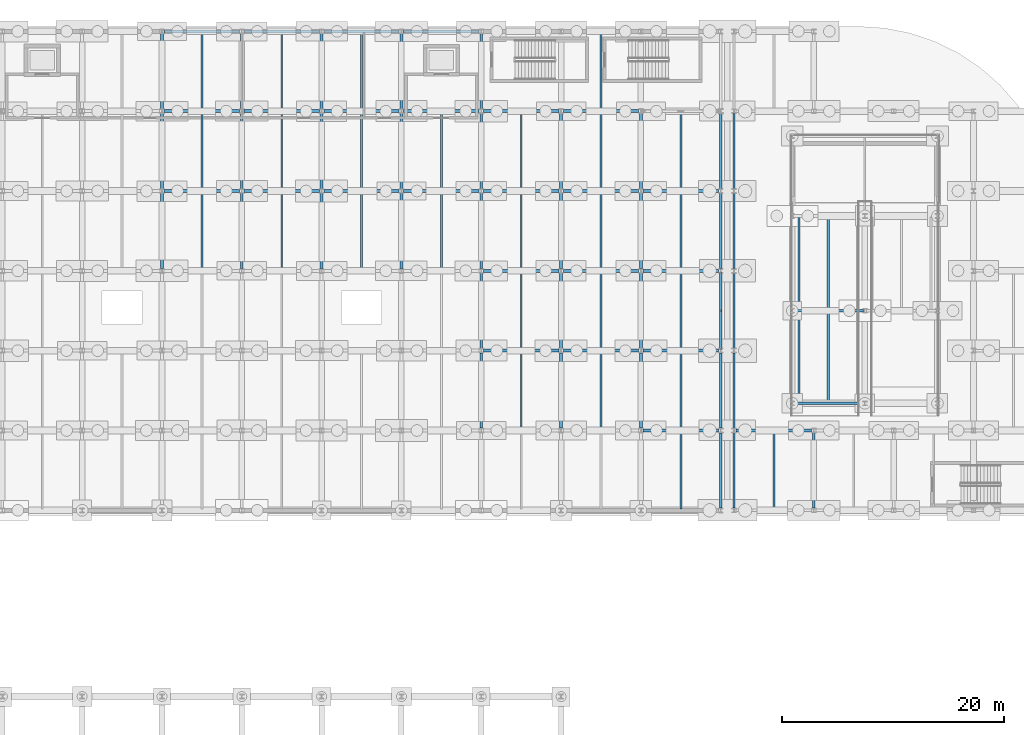
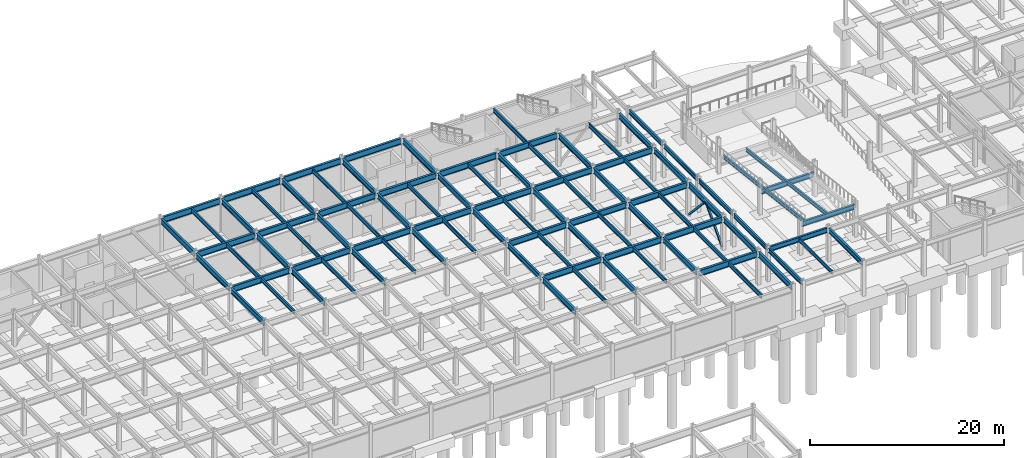
# One storey, part 31 of 54: 91 beams, 2 members.
"""IFC4 building model written with IfcOpenShell, lengths in metres."""

import ifcopenshell
import ifcopenshell.guid

model = None  # the IFC model being written
_history = None  # IfcOwnerHistory: only IFC2X3 demands one
_inside = {}  # id of a spatial element -> (the spatial element, [elements in it])
_under = {}  # id of a project, library or spatial element -> (it, [spatial elements below it])
_declared = {}  # id of a project -> (the project, [libraries it declares])
_typed = {}  # id of a type object -> (the type object, [elements of that type])
_made_of = {}  # id of a material, layer set ... -> (it, [elements and type objects made of it])


def new_model(schema):
    """Start an empty IFC model of exactly this schema.

    Asked for "IFC4X3", IfcOpenShell would pick the latest addendum, in which some entities
    have other attributes; the version numbers below select the first issue.
    IFC2X3 requires an IfcOwnerHistory on every rooted entity: one is made here for all.
    """
    global model, _history
    if schema == "IFC4X3":
        model = ifcopenshell.file(schema_version=(4, 3, 0, 0))
    else:
        model = ifcopenshell.file(schema=schema)
    _inside.clear()
    _under.clear()
    _declared.clear()
    _typed.clear()
    _made_of.clear()
    _history = None
    if model.schema == "IFC2X3":
        org = make("IfcOrganization", Name="unknown")
        user = make(
            "IfcPersonAndOrganization",
            ThePerson=make("IfcPerson", FamilyName="unknown"),
            TheOrganization=org,
        )
        app = make(
            "IfcApplication",
            ApplicationDeveloper=org,
            Version="unknown",
            ApplicationFullName="unknown",
            ApplicationIdentifier="unknown",
        )
        _history = make(
            "IfcOwnerHistory",
            OwningUser=user,
            OwningApplication=app,
            ChangeAction="ADDED",
            CreationDate=0,
        )
    return model


def make(cls, **values):
    """One entity of the class cls with the attributes given. An attribute that is None is left unset."""
    return model.create_entity(
        cls, **{name: value for name, value in values.items() if value is not None}
    )


def rooted(cls, **values):
    """An entity with a GlobalId (a new one), such as an element, a storey or a relation."""
    return make(cls, GlobalId=ifcopenshell.guid.new(), OwnerHistory=_history, **values)


def si_unit(unit_type, name, prefix=None):
    """IfcSIUnit, for example si_unit("LENGTHUNIT", "METRE", prefix="MILLI")."""
    return make("IfcSIUnit", UnitType=unit_type, Prefix=prefix, Name=name)


def assignment(units):
    """IfcUnitAssignment: the units of a project."""
    return None if units is None else make("IfcUnitAssignment", Units=units)


def point(xyz):
    """IfcCartesianPoint."""
    return None if xyz is None else make("IfcCartesianPoint", Coordinates=xyz)


def direction(xyz):
    """IfcDirection."""
    return None if xyz is None else make("IfcDirection", DirectionRatios=xyz)


def frame(location, z_axis=None, x_axis=None):
    """IfcAxis2Placement3D, a coordinate frame: its origin and axes. An axis left out is left unset."""
    return make(
        "IfcAxis2Placement3D",
        Location=point(location),
        Axis=direction(z_axis),
        RefDirection=direction(x_axis),
    )


def frame_2d(location, x_axis=None):
    """IfcAxis2Placement2D, a coordinate frame in the plane: its origin and x axis."""
    return make(
        "IfcAxis2Placement2D", Location=point(location), RefDirection=direction(x_axis)
    )


def origin():
    """The frame at (0, 0, 0) with its axes left unset."""
    return frame((0.0, 0.0, 0.0))


def origin_2d():
    """The frame at (0, 0) in the plane with its x axis left unset."""
    return frame_2d((0.0, 0.0))


def place(relative_to, where):
    """IfcLocalPlacement: puts the frame where relative to a parent placement (None: the world)."""
    return make(
        "IfcLocalPlacement", PlacementRelTo=relative_to, RelativePlacement=where
    )


def context(
    kind, dimensions, precision=None, world=None, true_north=None, identifier=None
):
    """IfcGeometricRepresentationContext, for example the 3D "Model" context."""
    return make(
        "IfcGeometricRepresentationContext",
        ContextIdentifier=identifier,
        ContextType=kind,
        CoordinateSpaceDimension=dimensions,
        Precision=precision,
        WorldCoordinateSystem=world,
        TrueNorth=true_north,
    )


def subcontext(parent, identifier, kind, view, scale=None):
    """IfcGeometricRepresentationSubContext, for example "Body" below "Model"."""
    return make(
        "IfcGeometricRepresentationSubContext",
        ContextIdentifier=identifier,
        ContextType=kind,
        ParentContext=parent,
        TargetScale=scale,
        TargetView=view,
    )


def project(units=None, contexts=None):
    """IfcProject with its units and contexts."""
    return rooted(
        "IfcProject",
        Name="project",
        RepresentationContexts=contexts,
        UnitsInContext=assignment(units),
    )


def spatial(cls, under=None, at=None, **own):
    """A site, building, storey or space (cls), placed at a placement, below another one or the project."""
    s = rooted(cls, ObjectPlacement=at, **own)
    if under is not None:
        _under.setdefault(under.id(), (under, []))[1].append(s)
    return s


def profile(cls, at=None, kind="AREA", **sizes):
    """A parametric profile (cls). Its sizes go by their IFC names, for example OverallWidth=200.0."""
    return make(cls, ProfileType=kind, Position=at, **sizes)


def hollow_rectangle(**sizes):
    """IfcRectangleHollowProfileDef."""
    return profile("IfcRectangleHollowProfileDef", **sizes)


def i_section(**sizes):
    """IfcIShapeProfileDef."""
    return profile("IfcIShapeProfileDef", **sizes)


def extrude(swept, where, along, depth):
    """IfcExtrudedAreaSolid: the profile swept, set in the frame where, extruded along a direction by depth."""
    return make(
        "IfcExtrudedAreaSolid",
        SweptArea=swept,
        Position=where,
        ExtrudedDirection=direction(along),
        Depth=depth,
    )


def shape(context_of_items, identifier, shape_type, items):
    """IfcShapeRepresentation: the items that make up one representation, for example the "Body"."""
    return make(
        "IfcShapeRepresentation",
        ContextOfItems=context_of_items,
        RepresentationIdentifier=identifier,
        RepresentationType=shape_type,
        Items=items,
    )


def material(Name=None, Category=None):
    """IfcMaterial."""
    return make("IfcMaterial", Name=Name, Category=Category)


def material_profile(
    of_material, cross_section, Name=None, Category=None, Priority=None
):
    """IfcMaterialProfile: a cross section and its material."""
    return make(
        "IfcMaterialProfile",
        Name=Name,
        Material=of_material,
        Profile=cross_section,
        Priority=Priority,
        Category=Category,
    )


def profile_set(profiles, Name=None, composite=None):
    """IfcMaterialProfileSet."""
    return make(
        "IfcMaterialProfileSet",
        Name=Name,
        MaterialProfiles=profiles,
        CompositeProfile=composite,
    )


def made_of(thing, what):
    """Note that an element or type object is made of a material, layer set ...; save() writes the relation."""
    if what is not None:
        _made_of.setdefault(what.id(), (what, []))[1].append(thing)
    return thing


def type_object(cls, material=None, **own):
    """A type object (cls), such as IfcWallType, which elements share."""
    return made_of(rooted(cls, **own), material)


def element(
    cls,
    number,
    at=None,
    inside=None,
    cuts=None,
    type_object=None,
    material=None,
    context=None,
    identifier="Body",
    shape_type=None,
    held_by="IfcProductDefinitionShape",
    body=None,
    shapes=None,
    **own,
):
    """One element of the class cls, such as IfcWall. Its Tag is "e" and its number.

    at: its placement. inside: the storey or other place that contains it. cuts: it is an
    opening in that element (IfcRelVoidsElement). A single representation is given by context,
    identifier, shape_type and body (its items); several are given by shapes. held_by: the class
    of the entity that holds the representations. save() writes the other relations.
    """
    e = rooted(cls, Tag="e%d" % number, ObjectPlacement=at, **own)
    if body is not None:
        shapes = [shape(context, identifier, shape_type, body)]
    if shapes is not None:
        e.Representation = make(held_by, Representations=shapes)
    if inside is not None:
        _inside.setdefault(inside.id(), (inside, []))[1].append(e)
    if cuts is not None:
        rooted(
            "IfcRelVoidsElement", RelatingBuildingElement=cuts, RelatedOpeningElement=e
        )
    if type_object is not None:
        _typed.setdefault(type_object.id(), (type_object, []))[1].append(e)
    return made_of(e, material)


def aggregate(whole, parts):
    """IfcRelAggregates: a whole, such as a stair, and the parts it consists of."""
    return rooted("IfcRelAggregates", RelatingObject=whole, RelatedObjects=parts)


def save(model, path):
    """Write the relations noted so far, then the file.

    IfcRelAggregates (storeys below a building ...), IfcRelContainedInSpatialStructure (elements
    in a storey), IfcRelDefinesByType, IfcRelAssociatesMaterial and IfcRelDeclares: one each for
    every whole, place, type object, material and project.
    """
    for whole, parts in _under.values():
        aggregate(whole, parts)
    for where, things in _inside.values():
        rooted(
            "IfcRelContainedInSpatialStructure",
            RelatedElements=things,
            RelatingStructure=where,
        )
    for kind, things in _typed.values():
        rooted("IfcRelDefinesByType", RelatedObjects=things, RelatingType=kind)
    for what, things in _made_of.values():
        rooted("IfcRelAssociatesMaterial", RelatedObjects=things, RelatingMaterial=what)
    for by, libraries in _declared.values():
        rooted("IfcRelDeclares", RelatingContext=by, RelatedDefinitions=libraries)
    model.write(path)


model = new_model("IFC4")

# Units and contexts
model_context = context("Model", 3, precision=1e-05, world=origin(), true_north=direction((0.0, 1.0)))
body_context = subcontext(model_context, "Body", "Model", "MODEL_VIEW")
ifc_project = project(units=[si_unit("LENGTHUNIT", "METRE"), si_unit("AREAUNIT", "SQUARE_METRE"), si_unit("VOLUMEUNIT", "CUBIC_METRE"), si_unit("PLANEANGLEUNIT", "RADIAN"), si_unit("MASSUNIT", "GRAM", prefix="KILO")], contexts=[model_context])

# Site, building, storey
site_placement = place(None, origin())
site = spatial("IfcSite", under=ifc_project, at=site_placement, CompositionType="ELEMENT")
building_placement = place(site_placement, origin())
building = spatial("IfcBuilding", under=site, at=building_placement, Name="Vaelcorin Mobility Hub", CompositionType="ELEMENT")
storey_placement = place(building_placement, frame((0.0, 0.0, -4.5)))
storey = spatial("IfcBuildingStorey", under=building, at=storey_placement, Name="B1", CompositionType="ELEMENT", Elevation=-4.5)

# Beams
ifc_material_1 = material(Name="Steel ASTM A992 Grade 50", Category="steel")
ifc_material_profile_1 = material_profile(ifc_material_1, i_section(OverallWidth=0.152099609375, OverallDepth=0.455078125, WebThickness=0.008056640625, FlangeThickness=0.01318359375, FilletRadius=0.012939453125, at=origin_2d()), Name="W18X40")
ifc_profile_set_1 = profile_set([ifc_material_profile_1], Name="Steel ASTM A992 Grade 50")
beam_type_1 = type_object("IfcBeamType", Name="BM-W18X40", PredefinedType="JOIST", material=ifc_profile_set_1)
beam_1_placement = place(storey_placement, frame((127.199951171875, 76.912109375, 4.02197265625), z_axis=(0.0, 1.0, 0.0), x_axis=(-1.0, 0.0, 0.0)))
element("IfcBeam", 1, at=beam_1_placement, inside=storey, type_object=beam_type_1, Name="B1 Beam V2E-B1-J-01-01-1", PredefinedType="JOIST", context=body_context, shape_type="SweptSolid", body=[
    extrude(i_section(OverallWidth=0.152099609375, OverallDepth=0.455078125, WebThickness=0.008056640625, FlangeThickness=0.01318359375, FilletRadius=0.012939453125, at=origin_2d()), origin(), (0.0, 0.0, 1.0), 6.975830078125),
])
ifc_material_profile_2 = material_profile(ifc_material_1, i_section(OverallWidth=0.19091796875, OverallDepth=0.4599609375, WebThickness=0.010009765625, FlangeThickness=0.01611328125, FilletRadius=0.012939453125, at=origin_2d()), Name="W18X55")
ifc_profile_set_2 = profile_set([ifc_material_profile_2], Name="Steel ASTM A992 Grade 50")
beam_type_2 = type_object("IfcBeamType", Name="BM-W18X55", PredefinedType="JOIST", material=ifc_profile_set_2)
for number, where, z_axis, x_axis, name in (
    (2, (129.449951171875, 103.239990234375, 1.888916015625), (0.0, -0.99318727008, 0.116529166098), (1.0, 0.0, 0.0), "Vehicle Ramp VR-2 B1 Flight 2 Stringer 1"),
    (3, (132.10009765625, 103.239990234375, 1.888916015625), (0.0, -0.99318727008, 0.116529166098), (1.0, 0.0, 0.0), "Vehicle Ramp VR-2 B1 Flight 2 Stringer 2"),
):
    element("IfcBeam", number, at=place(storey_placement, frame(where, z_axis=z_axis, x_axis=x_axis)), inside=storey, type_object=beam_type_2, Name=name, PredefinedType="JOIST", context=body_context, shape_type="SweptSolid", body=[
        extrude(i_section(OverallWidth=0.19091796875, OverallDepth=0.4599609375, WebThickness=0.010009765625, FlangeThickness=0.01611328125, FilletRadius=0.012939453125, at=origin_2d()), origin(), (0.0, 0.0, 1.0), 16.79443359375),
    ])
ifc_material_profile_3 = material_profile(ifc_material_1, i_section(OverallWidth=0.166015625, OverallDepth=0.528076171875, WebThickness=0.009765625, FlangeThickness=0.013671875, FilletRadius=0.013916015625, at=origin_2d()), Name="W21X50")
ifc_profile_set_3 = profile_set([ifc_material_profile_3], Name="Steel ASTM A992 Grade 50")
beam_type_3 = type_object("IfcBeamType", Name="BM-W21X50", PredefinedType="JOIST", material=ifc_profile_set_3)
for number, where, z_axis, x_axis, name in (
    (4, (75.60009765625, 98.531982421875, 3.9560546875), (0.0, 1.0, 0.0), (-1.0, 0.0, 0.0), "B1 Beam V4-B1-J-06-04-1"),
    (5, (75.60009765625, 105.73193359375, 3.9560546875), (0.0, 1.0, 0.0), (-1.0, 0.0, 0.0), "B1 Beam V4-B1-J-06-05-1"),
    (6, (75.60009765625, 112.931884765625, 3.9560546875), (0.0, 1.0, 0.0), (-1.0, 0.0, 0.0), "B1 Beam V4-B1-J-06-06-1"),
    (7, (82.800048828125, 98.531982421875, 3.9560546875), (0.0, 1.0, 0.0), (-1.0, 0.0, 0.0), "B1 Beam V4-B1-J-07-04-1"),
    (8, (82.800048828125, 105.73193359375, 3.9560546875), (0.0, 1.0, 0.0), (-1.0, 0.0, 0.0), "B1 Beam V4-B1-J-07-05-1"),
    (9, (82.800048828125, 112.931884765625, 3.9560546875), (0.0, 1.0, 0.0), (-1.0, 0.0, 0.0), "B1 Beam V4-B1-J-07-06-1"),
    (10, (90.0, 98.531982421875, 3.9560546875), (0.0, 1.0, 0.0), (-1.0, 0.0, 0.0), "B1 Beam V4-B1-J-08-04-1"),
    (11, (90.0, 105.73193359375, 3.9560546875), (0.0, 1.0, 0.0), (-1.0, 0.0, 0.0), "B1 Beam V4-B1-J-08-05-1"),
    (12, (90.0, 112.931884765625, 3.9560546875), (0.0, 1.0, 0.0), (-1.0, 0.0, 0.0), "B1 Beam V4-B1-J-08-06-1"),
    (13, (97.199951171875, 98.531982421875, 3.9560546875), (0.0, 1.0, 0.0), (-1.0, 0.0, 0.0), "B1 Beam V4-B1-J-09-04-1"),
    (14, (97.199951171875, 105.73193359375, 3.9560546875), (0.0, 1.0, 0.0), (-1.0, 0.0, 0.0), "B1 Beam V4-B1-J-09-05-1"),
    (15, (104.39990234375, 84.132080078125, 3.9560546875), (0.0, 1.0, 0.0), (-1.0, 0.0, 0.0), "B1 Beam V4-B1-J-10-02-1"),
    (16, (104.39990234375, 91.33203125, 3.9560546875), (0.0, 1.0, 0.0), (-1.0, 0.0, 0.0), "B1 Beam V4-B1-J-10-03-1"),
    (17, (104.39990234375, 98.531982421875, 3.9560546875), (0.0, 1.0, 0.0), (-1.0, 0.0, 0.0), "B1 Beam V4-B1-J-10-04-1"),
    (18, (104.39990234375, 105.73193359375, 3.9560546875), (0.0, 1.0, 0.0), (-1.0, 0.0, 0.0), "B1 Beam V4-B1-J-10-05-1"),
    (19, (111.60009765625, 84.132080078125, 3.9560546875), (0.0, 1.0, 0.0), (-1.0, 0.0, 0.0), "B1 Beam V4-B1-J-11-02-1"),
    (20, (111.60009765625, 91.33203125, 3.9560546875), (0.0, 1.0, 0.0), (-1.0, 0.0, 0.0), "B1 Beam V4-B1-J-11-03-1"),
    (21, (111.60009765625, 98.531982421875, 3.9560546875), (0.0, 1.0, 0.0), (-1.0, 0.0, 0.0), "B1 Beam V4-B1-J-11-04-1"),
    (22, (111.60009765625, 105.73193359375, 3.9560546875), (0.0, 1.0, 0.0), (-1.0, 0.0, 0.0), "B1 Beam V4-B1-J-11-05-1"),
    (23, (111.60009765625, 112.931884765625, 3.9560546875), (0.0, 1.0, 0.0), (-1.0, 0.0, 0.0), "B1 Beam V4-B1-J-11-06-1"),
    (24, (118.800048828125, 76.931884765625, 3.9560546875), (0.0, 1.0, 0.0), (-1.0, 0.0, 0.0), "B1 Beam V4-B1-J-12-01-1"),
    (25, (118.800048828125, 84.132080078125, 3.9560546875), (0.0, 1.0, 0.0), (-1.0, 0.0, 0.0), "B1 Beam V4-B1-J-12-02-1"),
    (26, (118.800048828125, 91.33203125, 3.9560546875), (0.0, 1.0, 0.0), (-1.0, 0.0, 0.0), "B1 Beam V4-B1-J-12-03-1"),
    (27, (118.800048828125, 98.531982421875, 3.9560546875), (0.0, 1.0, 0.0), (-1.0, 0.0, 0.0), "B1 Beam V4-B1-J-12-04-1"),
    (28, (118.800048828125, 105.73193359375, 3.9560546875), (0.0, 1.0, 0.0), (-1.0, 0.0, 0.0), "B1 Beam V4-B1-J-12-05-1"),
):
    element("IfcBeam", number, at=place(storey_placement, frame(where, z_axis=z_axis, x_axis=x_axis)), inside=storey, type_object=beam_type_3, Name=name, PredefinedType="JOIST", context=body_context, shape_type="SweptSolid", body=[
        extrude(i_section(OverallWidth=0.166015625, OverallDepth=0.528076171875, WebThickness=0.009765625, FlangeThickness=0.013671875, FilletRadius=0.013916015625, at=origin_2d()), origin(), (0.0, 0.0, 1.0), 6.93603515625),
    ])
ifc_material_profile_4 = material_profile(ifc_material_1, i_section(OverallWidth=0.2099609375, OverallDepth=0.535888671875, WebThickness=0.010986328125, FlangeThickness=0.017333984375, FilletRadius=0.013916015625, at=origin_2d()), Name="W21X68")
ifc_profile_set_4 = profile_set([ifc_material_profile_4], Name="Steel ASTM A992 Grade 50")
beam_type_4 = type_object("IfcBeamType", Name="BM-W21X68", PredefinedType="SPANDREL", material=ifc_profile_set_4)
for number, where, z_axis, x_axis, name in (
    (29, (123.60009765625, 76.9951171875, 3.98193359375), (0.0, 1.0, 0.0), (-1.0, 0.0, 0.0), "B1 Beam V2E-B1-GY-01-01"),
    (30, (123.60009765625, 84.195068359375, 3.98193359375), (0.0, 1.0, 0.0), (-1.0, 0.0, 0.0), "B1 Beam V2E-B1-GY-01-02"),
):
    element("IfcBeam", number, at=place(storey_placement, frame(where, z_axis=z_axis, x_axis=x_axis)), inside=storey, type_object=beam_type_4, Name=name, PredefinedType="SPANDREL", context=body_context, shape_type="SweptSolid", body=[
        extrude(i_section(OverallWidth=0.2099609375, OverallDepth=0.535888671875, WebThickness=0.010986328125, FlangeThickness=0.017333984375, FilletRadius=0.013916015625, at=origin_2d()), origin(), (0.0, 0.0, 1.0), 6.809814453125),
    ])
for number, where, z_axis, x_axis, name in (
    (31, (123.60009765625, 91.39501953125, 3.98193359375), (0.0, 1.0, 0.0), (-1.0, 0.0, 0.0), "B1 Beam V2E-B1-GY-01-03"),
    (32, (123.60009765625, 98.594970703125, 3.98193359375), (0.0, 1.0, 0.0), (-1.0, 0.0, 0.0), "B1 Beam V2E-B1-GY-01-04"),
    (33, (123.60009765625, 105.794921875, 3.98193359375), (0.0, 1.0, 0.0), (-1.0, 0.0, 0.0), "B1 Beam V2E-B1-GY-01-05"),
):
    element("IfcBeam", number, at=place(storey_placement, frame(where, z_axis=z_axis, x_axis=x_axis)), inside=storey, type_object=beam_type_4, Name=name, PredefinedType="SPANDREL", context=body_context, shape_type="SweptSolid", body=[
        extrude(i_section(OverallWidth=0.2099609375, OverallDepth=0.535888671875, WebThickness=0.010986328125, FlangeThickness=0.017333984375, FilletRadius=0.013916015625, at=origin_2d()), origin(), (0.0, 0.0, 1.0), 6.81005859375),
    ])
ifc_material_profile_5 = material_profile(ifc_material_1, i_section(OverallWidth=0.22900390625, OverallDepth=0.612060546875, WebThickness=0.011962890625, FlangeThickness=0.01953125, FilletRadius=0.014892578125, at=origin_2d()), Name="W24X84")
ifc_profile_set_5 = profile_set([ifc_material_profile_5], Name="Steel ASTM A992 Grade 50")
beam_type_5 = type_object("IfcBeamType", Name="BM-W24X84", PredefinedType="BEAM", material=ifc_profile_set_5)
beam_2_placement = place(storey_placement, frame((123.798095703125, 84.0, 3.944091796875), z_axis=(1.0, 0.0, 0.0), x_axis=(0.0, 1.0, 0.0)))
element("IfcBeam", 34, at=beam_2_placement, inside=storey, type_object=beam_type_5, Name="B1 Beam V2E-B1-GX-02-01", PredefinedType="BEAM", context=body_context, shape_type="SweptSolid", body=[
    extrude(i_section(OverallWidth=0.22900390625, OverallDepth=0.612060546875, WebThickness=0.011962890625, FlangeThickness=0.01953125, FilletRadius=0.014892578125, at=origin_2d()), origin(), (0.0, 0.0, 1.0), 6.804931640625),
])
beam_3_placement = place(storey_placement, frame((130.800048828125, 76.9951171875, 3.944091796875), z_axis=(0.0, 1.0, 0.0), x_axis=(-1.0, 0.0, 0.0)))
element("IfcBeam", 35, at=beam_3_placement, inside=storey, type_object=beam_type_5, Name="B1 Beam V2E-B1-GY-02-01", PredefinedType="BEAM", context=body_context, shape_type="SweptSolid", body=[
    extrude(i_section(OverallWidth=0.22900390625, OverallDepth=0.612060546875, WebThickness=0.011962890625, FlangeThickness=0.01953125, FilletRadius=0.014892578125, at=origin_2d()), origin(), (0.0, 0.0, 1.0), 6.809814453125),
])
for number, where, z_axis, x_axis, name in (
    (36, (128.97998046875, 94.800048828125, 2.782958984375), (1.0, 0.0, 0.0), (0.0, 1.0, 0.0), "Vehicle Ramp VR-2 B1 Bent Girder F2M"),
    (37, (128.97998046875, 86.449951171875, 3.761962890625), (1.0, 0.0, 0.0), (0.0, 1.0, 0.0), "Vehicle Ramp VR-2 B1 Bent Girder F2S"),
):
    element("IfcBeam", number, at=place(storey_placement, frame(where, z_axis=z_axis, x_axis=x_axis)), inside=storey, type_object=beam_type_5, Name=name, PredefinedType="BEAM", context=body_context, shape_type="SweptSolid", body=[
        extrude(i_section(OverallWidth=0.22900390625, OverallDepth=0.612060546875, WebThickness=0.011962890625, FlangeThickness=0.01953125, FilletRadius=0.014892578125, at=origin_2d()), origin(), (0.0, 0.0, 1.0), 6.2900390625),
    ])
ifc_material_profile_6 = material_profile(ifc_material_1, i_section(OverallWidth=0.25390625, OverallDepth=0.68310546875, WebThickness=0.012451171875, FlangeThickness=0.018798828125, FilletRadius=0.01611328125, at=origin_2d()), Name="W27X94")
ifc_profile_set_6 = profile_set([ifc_material_profile_6], Name="Steel ASTM A992 Grade 50")
beam_type_6 = type_object("IfcBeamType", Name="BM-W27X94", PredefinedType="BEAM", material=ifc_profile_set_6)
beam_4_placement = place(storey_placement, frame((72.0, 98.60107421875, 3.8779296875), z_axis=(0.0, 1.0, 0.0), x_axis=(-1.0, 0.0, 0.0)))
element("IfcBeam", 38, at=beam_4_placement, inside=storey, type_object=beam_type_6, Name="B1 Beam V4-B1-GY-06-04", PredefinedType="BEAM", context=body_context, shape_type="SweptSolid", body=[
    extrude(i_section(OverallWidth=0.25390625, OverallDepth=0.68310546875, WebThickness=0.012451171875, FlangeThickness=0.018798828125, FilletRadius=0.01611328125, at=origin_2d()), origin(), (0.0, 0.0, 1.0), 6.7978515625),
])
for number, where, z_axis, x_axis, name in (
    (39, (72.0, 105.801025390625, 3.8779296875), (0.0, 1.0, 0.0), (-1.0, 0.0, 0.0), "B1 Beam V4-B1-GY-06-05"),
    (40, (72.0, 113.010009765625, 3.8779296875), (0.0, 1.0, 0.0), (-1.0, 0.0, 0.0), "B1 Beam V4-B1-GY-06-06"),
):
    element("IfcBeam", number, at=place(storey_placement, frame(where, z_axis=z_axis, x_axis=x_axis)), inside=storey, type_object=beam_type_6, Name=name, PredefinedType="BEAM", context=body_context, shape_type="SweptSolid", body=[
        extrude(i_section(OverallWidth=0.25390625, OverallDepth=0.68310546875, WebThickness=0.012451171875, FlangeThickness=0.018798828125, FilletRadius=0.01611328125, at=origin_2d()), origin(), (0.0, 0.0, 1.0), 6.7890625),
    ])
beam_5_placement = place(storey_placement, frame((79.199951171875, 98.60107421875, 3.8779296875), z_axis=(0.0, 1.0, 0.0), x_axis=(-1.0, 0.0, 0.0)))
element("IfcBeam", 41, at=beam_5_placement, inside=storey, type_object=beam_type_6, Name="B1 Beam V4-B1-GY-07-04", PredefinedType="BEAM", context=body_context, shape_type="SweptSolid", body=[
    extrude(i_section(OverallWidth=0.25390625, OverallDepth=0.68310546875, WebThickness=0.012451171875, FlangeThickness=0.018798828125, FilletRadius=0.01611328125, at=origin_2d()), origin(), (0.0, 0.0, 1.0), 6.7978515625),
])
for number, where, z_axis, x_axis, name in (
    (42, (79.199951171875, 105.801025390625, 3.8779296875), (0.0, 1.0, 0.0), (-1.0, 0.0, 0.0), "B1 Beam V4-B1-GY-07-05"),
    (43, (79.199951171875, 113.010009765625, 3.8779296875), (0.0, 1.0, 0.0), (-1.0, 0.0, 0.0), "B1 Beam V4-B1-GY-07-06"),
):
    element("IfcBeam", number, at=place(storey_placement, frame(where, z_axis=z_axis, x_axis=x_axis)), inside=storey, type_object=beam_type_6, Name=name, PredefinedType="BEAM", context=body_context, shape_type="SweptSolid", body=[
        extrude(i_section(OverallWidth=0.25390625, OverallDepth=0.68310546875, WebThickness=0.012451171875, FlangeThickness=0.018798828125, FilletRadius=0.01611328125, at=origin_2d()), origin(), (0.0, 0.0, 1.0), 6.7890625),
    ])
beam_6_placement = place(storey_placement, frame((86.39990234375, 98.60107421875, 3.8779296875), z_axis=(0.0, 1.0, 0.0), x_axis=(-1.0, 0.0, 0.0)))
element("IfcBeam", 44, at=beam_6_placement, inside=storey, type_object=beam_type_6, Name="B1 Beam V4-B1-GY-08-04", PredefinedType="BEAM", context=body_context, shape_type="SweptSolid", body=[
    extrude(i_section(OverallWidth=0.25390625, OverallDepth=0.68310546875, WebThickness=0.012451171875, FlangeThickness=0.018798828125, FilletRadius=0.01611328125, at=origin_2d()), origin(), (0.0, 0.0, 1.0), 6.7978515625),
])
for number, where, z_axis, x_axis, name in (
    (45, (86.39990234375, 105.801025390625, 3.8779296875), (0.0, 1.0, 0.0), (-1.0, 0.0, 0.0), "B1 Beam V4-B1-GY-08-05"),
    (46, (86.39990234375, 113.010009765625, 3.8779296875), (0.0, 1.0, 0.0), (-1.0, 0.0, 0.0), "B1 Beam V4-B1-GY-08-06"),
):
    element("IfcBeam", number, at=place(storey_placement, frame(where, z_axis=z_axis, x_axis=x_axis)), inside=storey, type_object=beam_type_6, Name=name, PredefinedType="BEAM", context=body_context, shape_type="SweptSolid", body=[
        extrude(i_section(OverallWidth=0.25390625, OverallDepth=0.68310546875, WebThickness=0.012451171875, FlangeThickness=0.018798828125, FilletRadius=0.01611328125, at=origin_2d()), origin(), (0.0, 0.0, 1.0), 6.7890625),
    ])
beam_7_placement = place(storey_placement, frame((93.60009765625, 98.60107421875, 3.8779296875), z_axis=(0.0, 1.0, 0.0), x_axis=(-1.0, 0.0, 0.0)))
element("IfcBeam", 47, at=beam_7_placement, inside=storey, type_object=beam_type_6, Name="B1 Beam V4-B1-GY-09-04", PredefinedType="BEAM", context=body_context, shape_type="SweptSolid", body=[
    extrude(i_section(OverallWidth=0.25390625, OverallDepth=0.68310546875, WebThickness=0.012451171875, FlangeThickness=0.018798828125, FilletRadius=0.01611328125, at=origin_2d()), origin(), (0.0, 0.0, 1.0), 6.7978515625),
])
for number, where, z_axis, x_axis, name in (
    (48, (93.60009765625, 105.801025390625, 3.8779296875), (0.0, 1.0, 0.0), (-1.0, 0.0, 0.0), "B1 Beam V4-B1-GY-09-05"),
    (49, (93.60009765625, 113.010009765625, 3.8779296875), (0.0, 1.0, 0.0), (-1.0, 0.0, 0.0), "B1 Beam V4-B1-GY-09-06"),
    (50, (100.800048828125, 84.2099609375, 3.8779296875), (0.0, 1.0, 0.0), (-1.0, 0.0, 0.0), "B1 Beam V4-B1-GY-10-02"),
):
    element("IfcBeam", number, at=place(storey_placement, frame(where, z_axis=z_axis, x_axis=x_axis)), inside=storey, type_object=beam_type_6, Name=name, PredefinedType="BEAM", context=body_context, shape_type="SweptSolid", body=[
        extrude(i_section(OverallWidth=0.25390625, OverallDepth=0.68310546875, WebThickness=0.012451171875, FlangeThickness=0.018798828125, FilletRadius=0.01611328125, at=origin_2d()), origin(), (0.0, 0.0, 1.0), 6.7890625),
    ])
beam_8_placement = place(storey_placement, frame((100.800048828125, 91.40087890625, 3.8779296875), z_axis=(0.0, 1.0, 0.0), x_axis=(-1.0, 0.0, 0.0)))
element("IfcBeam", 51, at=beam_8_placement, inside=storey, type_object=beam_type_6, Name="B1 Beam V4-B1-GY-10-03", PredefinedType="BEAM", context=body_context, shape_type="SweptSolid", body=[
    extrude(i_section(OverallWidth=0.25390625, OverallDepth=0.68310546875, WebThickness=0.012451171875, FlangeThickness=0.018798828125, FilletRadius=0.01611328125, at=origin_2d()), origin(), (0.0, 0.0, 1.0), 6.798095703125),
])
beam_9_placement = place(storey_placement, frame((100.800048828125, 98.60107421875, 3.8779296875), z_axis=(0.0, 1.0, 0.0), x_axis=(-1.0, 0.0, 0.0)))
element("IfcBeam", 52, at=beam_9_placement, inside=storey, type_object=beam_type_6, Name="B1 Beam V4-B1-GY-10-04", PredefinedType="BEAM", context=body_context, shape_type="SweptSolid", body=[
    extrude(i_section(OverallWidth=0.25390625, OverallDepth=0.68310546875, WebThickness=0.012451171875, FlangeThickness=0.018798828125, FilletRadius=0.01611328125, at=origin_2d()), origin(), (0.0, 0.0, 1.0), 6.7978515625),
])
for number, where, z_axis, x_axis, name in (
    (53, (100.800048828125, 105.801025390625, 3.8779296875), (0.0, 1.0, 0.0), (-1.0, 0.0, 0.0), "B1 Beam V4-B1-GY-10-05"),
    (54, (100.800048828125, 113.010009765625, 3.8779296875), (0.0, 1.0, 0.0), (-1.0, 0.0, 0.0), "B1 Beam V4-B1-GY-10-06"),
    (55, (108.0, 84.2099609375, 3.8779296875), (0.0, 1.0, 0.0), (-1.0, 0.0, 0.0), "B1 Beam V4-B1-GY-11-02"),
):
    element("IfcBeam", number, at=place(storey_placement, frame(where, z_axis=z_axis, x_axis=x_axis)), inside=storey, type_object=beam_type_6, Name=name, PredefinedType="BEAM", context=body_context, shape_type="SweptSolid", body=[
        extrude(i_section(OverallWidth=0.25390625, OverallDepth=0.68310546875, WebThickness=0.012451171875, FlangeThickness=0.018798828125, FilletRadius=0.01611328125, at=origin_2d()), origin(), (0.0, 0.0, 1.0), 6.7890625),
    ])
beam_10_placement = place(storey_placement, frame((108.0, 91.40087890625, 3.8779296875), z_axis=(0.0, 1.0, 0.0), x_axis=(-1.0, 0.0, 0.0)))
element("IfcBeam", 56, at=beam_10_placement, inside=storey, type_object=beam_type_6, Name="B1 Beam V4-B1-GY-11-03", PredefinedType="BEAM", context=body_context, shape_type="SweptSolid", body=[
    extrude(i_section(OverallWidth=0.25390625, OverallDepth=0.68310546875, WebThickness=0.012451171875, FlangeThickness=0.018798828125, FilletRadius=0.01611328125, at=origin_2d()), origin(), (0.0, 0.0, 1.0), 6.798095703125),
])
beam_11_placement = place(storey_placement, frame((108.0, 98.60107421875, 3.8779296875), z_axis=(0.0, 1.0, 0.0), x_axis=(-1.0, 0.0, 0.0)))
element("IfcBeam", 57, at=beam_11_placement, inside=storey, type_object=beam_type_6, Name="B1 Beam V4-B1-GY-11-04", PredefinedType="BEAM", context=body_context, shape_type="SweptSolid", body=[
    extrude(i_section(OverallWidth=0.25390625, OverallDepth=0.68310546875, WebThickness=0.012451171875, FlangeThickness=0.018798828125, FilletRadius=0.01611328125, at=origin_2d()), origin(), (0.0, 0.0, 1.0), 6.7978515625),
])
for number, where, z_axis, x_axis, name in (
    (58, (108.0, 105.801025390625, 3.8779296875), (0.0, 1.0, 0.0), (-1.0, 0.0, 0.0), "B1 Beam V4-B1-GY-11-05"),
    (59, (115.199951171875, 84.2099609375, 3.8779296875), (0.0, 1.0, 0.0), (-1.0, 0.0, 0.0), "B1 Beam V4-B1-GY-12-02"),
):
    element("IfcBeam", number, at=place(storey_placement, frame(where, z_axis=z_axis, x_axis=x_axis)), inside=storey, type_object=beam_type_6, Name=name, PredefinedType="BEAM", context=body_context, shape_type="SweptSolid", body=[
        extrude(i_section(OverallWidth=0.25390625, OverallDepth=0.68310546875, WebThickness=0.012451171875, FlangeThickness=0.018798828125, FilletRadius=0.01611328125, at=origin_2d()), origin(), (0.0, 0.0, 1.0), 6.7890625),
    ])
beam_12_placement = place(storey_placement, frame((115.199951171875, 91.40087890625, 3.8779296875), z_axis=(0.0, 1.0, 0.0), x_axis=(-1.0, 0.0, 0.0)))
element("IfcBeam", 60, at=beam_12_placement, inside=storey, type_object=beam_type_6, Name="B1 Beam V4-B1-GY-12-03", PredefinedType="BEAM", context=body_context, shape_type="SweptSolid", body=[
    extrude(i_section(OverallWidth=0.25390625, OverallDepth=0.68310546875, WebThickness=0.012451171875, FlangeThickness=0.018798828125, FilletRadius=0.01611328125, at=origin_2d()), origin(), (0.0, 0.0, 1.0), 6.798095703125),
])
beam_13_placement = place(storey_placement, frame((115.199951171875, 98.60107421875, 3.8779296875), z_axis=(0.0, 1.0, 0.0), x_axis=(-1.0, 0.0, 0.0)))
element("IfcBeam", 61, at=beam_13_placement, inside=storey, type_object=beam_type_6, Name="B1 Beam V4-B1-GY-12-04", PredefinedType="BEAM", context=body_context, shape_type="SweptSolid", body=[
    extrude(i_section(OverallWidth=0.25390625, OverallDepth=0.68310546875, WebThickness=0.012451171875, FlangeThickness=0.018798828125, FilletRadius=0.01611328125, at=origin_2d()), origin(), (0.0, 0.0, 1.0), 6.7978515625),
])
for number, where, z_axis, x_axis, name in (
    (62, (115.199951171875, 105.801025390625, 3.8779296875), (0.0, 1.0, 0.0), (-1.0, 0.0, 0.0), "B1 Beam V4-B1-GY-12-05"),
    (63, (122.39990234375, 77.0009765625, 3.8779296875), (0.0, 1.0, 0.0), (-1.0, 0.0, 0.0), "B1 Beam V4-B1-GY-13-01"),
    (64, (122.39990234375, 84.2099609375, 3.8779296875), (0.0, 1.0, 0.0), (-1.0, 0.0, 0.0), "B1 Beam V4-B1-GY-13-02"),
):
    element("IfcBeam", number, at=place(storey_placement, frame(where, z_axis=z_axis, x_axis=x_axis)), inside=storey, type_object=beam_type_6, Name=name, PredefinedType="BEAM", context=body_context, shape_type="SweptSolid", body=[
        extrude(i_section(OverallWidth=0.25390625, OverallDepth=0.68310546875, WebThickness=0.012451171875, FlangeThickness=0.018798828125, FilletRadius=0.01611328125, at=origin_2d()), origin(), (0.0, 0.0, 1.0), 6.7890625),
    ])
beam_14_placement = place(storey_placement, frame((122.39990234375, 91.40087890625, 3.8779296875), z_axis=(0.0, 1.0, 0.0), x_axis=(-1.0, 0.0, 0.0)))
element("IfcBeam", 65, at=beam_14_placement, inside=storey, type_object=beam_type_6, Name="B1 Beam V4-B1-GY-13-03", PredefinedType="BEAM", context=body_context, shape_type="SweptSolid", body=[
    extrude(i_section(OverallWidth=0.25390625, OverallDepth=0.68310546875, WebThickness=0.012451171875, FlangeThickness=0.018798828125, FilletRadius=0.01611328125, at=origin_2d()), origin(), (0.0, 0.0, 1.0), 6.798095703125),
])
beam_15_placement = place(storey_placement, frame((122.39990234375, 98.60107421875, 3.8779296875), z_axis=(0.0, 1.0, 0.0), x_axis=(-1.0, 0.0, 0.0)))
element("IfcBeam", 66, at=beam_15_placement, inside=storey, type_object=beam_type_6, Name="B1 Beam V4-B1-GY-13-04", PredefinedType="BEAM", context=body_context, shape_type="SweptSolid", body=[
    extrude(i_section(OverallWidth=0.25390625, OverallDepth=0.68310546875, WebThickness=0.012451171875, FlangeThickness=0.018798828125, FilletRadius=0.01611328125, at=origin_2d()), origin(), (0.0, 0.0, 1.0), 6.7978515625),
])
beam_16_placement = place(storey_placement, frame((122.39990234375, 105.801025390625, 3.8779296875), z_axis=(0.0, 1.0, 0.0), x_axis=(-1.0, 0.0, 0.0)))
element("IfcBeam", 67, at=beam_16_placement, inside=storey, type_object=beam_type_6, Name="B1 Beam V4-B1-GY-13-05", PredefinedType="BEAM", context=body_context, shape_type="SweptSolid", body=[
    extrude(i_section(OverallWidth=0.25390625, OverallDepth=0.68310546875, WebThickness=0.012451171875, FlangeThickness=0.018798828125, FilletRadius=0.01611328125, at=origin_2d()), origin(), (0.0, 0.0, 1.0), 6.7890625),
])
ifc_material_profile_7 = material_profile(ifc_material_1, i_section(OverallWidth=0.26708984375, OverallDepth=0.757080078125, WebThickness=0.013916015625, FlangeThickness=0.019287109375, FilletRadius=0.01708984375, at=origin_2d()), Name="W30X108")
ifc_profile_set_7 = profile_set([ifc_material_profile_7], Name="Steel ASTM A992 Grade 50")
beam_type_7 = type_object("IfcBeamType", Name="BM-W30X108", PredefinedType="BEAM", material=ifc_profile_set_7)
beam_17_placement = place(storey_placement, frame((115.402099609375, 84.0, 3.841064453125), z_axis=(1.0, 0.0, 0.0), x_axis=(0.0, 1.0, 0.0)))
element("IfcBeam", 68, at=beam_17_placement, inside=storey, type_object=beam_type_7, Name="B1 Beam V4-B1-GX-02-12", PredefinedType="BEAM", context=body_context, shape_type="SweptSolid", body=[
    extrude(i_section(OverallWidth=0.26708984375, OverallDepth=0.757080078125, WebThickness=0.013916015625, FlangeThickness=0.019287109375, FilletRadius=0.01708984375, at=origin_2d()), origin(), (0.0, 0.0, 1.0), 6.7958984375),
])
for number, where, z_axis, x_axis, name in (
    (69, (101.0, 91.199951171875, 3.841064453125), (1.0, 0.0, 0.0), (0.0, 1.0, 0.0), "B1 Beam V4-B1-GX-03-10"),
    (70, (108.199951171875, 91.199951171875, 3.841064453125), (1.0, 0.0, 0.0), (0.0, 1.0, 0.0), "B1 Beam V4-B1-GX-03-11"),
    (71, (115.39990234375, 91.199951171875, 3.841064453125), (1.0, 0.0, 0.0), (0.0, 1.0, 0.0), "B1 Beam V4-B1-GX-03-12"),
    (72, (101.0, 98.39990234375, 3.841064453125), (1.0, 0.0, 0.0), (0.0, 1.0, 0.0), "B1 Beam V4-B1-GX-04-10"),
    (73, (108.199951171875, 98.39990234375, 3.841064453125), (1.0, 0.0, 0.0), (0.0, 1.0, 0.0), "B1 Beam V4-B1-GX-04-11"),
    (74, (115.39990234375, 98.39990234375, 3.841064453125), (1.0, 0.0, 0.0), (0.0, 1.0, 0.0), "B1 Beam V4-B1-GX-04-12"),
    (75, (72.199951171875, 105.60009765625, 3.841064453125), (1.0, 0.0, 0.0), (0.0, 1.0, 0.0), "B1 Beam V4-B1-GX-05-06"),
    (76, (79.39990234375, 105.60009765625, 3.841064453125), (1.0, 0.0, 0.0), (0.0, 1.0, 0.0), "B1 Beam V4-B1-GX-05-07"),
):
    element("IfcBeam", number, at=place(storey_placement, frame(where, z_axis=z_axis, x_axis=x_axis)), inside=storey, type_object=beam_type_7, Name=name, PredefinedType="BEAM", context=body_context, shape_type="SweptSolid", body=[
        extrude(i_section(OverallWidth=0.26708984375, OverallDepth=0.757080078125, WebThickness=0.013916015625, FlangeThickness=0.019287109375, FilletRadius=0.01708984375, at=origin_2d()), origin(), (0.0, 0.0, 1.0), 6.800048828125),
    ])
beam_18_placement = place(storey_placement, frame((86.60009765625, 105.60009765625, 3.841064453125), z_axis=(1.0, 0.0, 0.0), x_axis=(0.0, 1.0, 0.0)))
element("IfcBeam", 77, at=beam_18_placement, inside=storey, type_object=beam_type_7, Name="B1 Beam V4-B1-GX-05-08", PredefinedType="BEAM", context=body_context, shape_type="SweptSolid", body=[
    extrude(i_section(OverallWidth=0.26708984375, OverallDepth=0.757080078125, WebThickness=0.013916015625, FlangeThickness=0.019287109375, FilletRadius=0.01708984375, at=origin_2d()), origin(), (0.0, 0.0, 1.0), 6.7998046875),
])
for number, where, z_axis, x_axis, name in (
    (78, (93.800048828125, 105.60009765625, 3.841064453125), (1.0, 0.0, 0.0), (0.0, 1.0, 0.0), "B1 Beam V4-B1-GX-05-09"),
    (79, (101.0, 105.60009765625, 3.841064453125), (1.0, 0.0, 0.0), (0.0, 1.0, 0.0), "B1 Beam V4-B1-GX-05-10"),
    (80, (108.199951171875, 105.60009765625, 3.841064453125), (1.0, 0.0, 0.0), (0.0, 1.0, 0.0), "B1 Beam V4-B1-GX-05-11"),
    (81, (115.39990234375, 105.60009765625, 3.841064453125), (1.0, 0.0, 0.0), (0.0, 1.0, 0.0), "B1 Beam V4-B1-GX-05-12"),
):
    element("IfcBeam", number, at=place(storey_placement, frame(where, z_axis=z_axis, x_axis=x_axis)), inside=storey, type_object=beam_type_7, Name=name, PredefinedType="BEAM", context=body_context, shape_type="SweptSolid", body=[
        extrude(i_section(OverallWidth=0.26708984375, OverallDepth=0.757080078125, WebThickness=0.013916015625, FlangeThickness=0.019287109375, FilletRadius=0.01708984375, at=origin_2d()), origin(), (0.0, 0.0, 1.0), 6.800048828125),
    ])
beam_19_placement = place(storey_placement, frame((72.201904296875, 112.800048828125, 3.841064453125), z_axis=(1.0, 0.0, 0.0), x_axis=(0.0, 1.0, 0.0)))
element("IfcBeam", 82, at=beam_19_placement, inside=storey, type_object=beam_type_7, Name="B1 Beam V4-B1-GX-06-06", PredefinedType="BEAM", context=body_context, shape_type="SweptSolid", body=[
    extrude(i_section(OverallWidth=0.26708984375, OverallDepth=0.757080078125, WebThickness=0.013916015625, FlangeThickness=0.019287109375, FilletRadius=0.01708984375, at=origin_2d()), origin(), (0.0, 0.0, 1.0), 6.796142578125),
])
for number, where, z_axis, x_axis, name in (
    (83, (79.402099609375, 112.800048828125, 3.841064453125), (1.0, 0.0, 0.0), (0.0, 1.0, 0.0), "B1 Beam V4-B1-GX-06-07"),
    (84, (86.60205078125, 112.800048828125, 3.841064453125), (1.0, 0.0, 0.0), (0.0, 1.0, 0.0), "B1 Beam V4-B1-GX-06-08"),
    (85, (93.802001953125, 112.800048828125, 3.841064453125), (1.0, 0.0, 0.0), (0.0, 1.0, 0.0), "B1 Beam V4-B1-GX-06-09"),
):
    element("IfcBeam", number, at=place(storey_placement, frame(where, z_axis=z_axis, x_axis=x_axis)), inside=storey, type_object=beam_type_7, Name=name, PredefinedType="BEAM", context=body_context, shape_type="SweptSolid", body=[
        extrude(i_section(OverallWidth=0.26708984375, OverallDepth=0.757080078125, WebThickness=0.013916015625, FlangeThickness=0.019287109375, FilletRadius=0.01708984375, at=origin_2d()), origin(), (0.0, 0.0, 1.0), 6.7958984375),
    ])
for number, where, z_axis, x_axis, name in (
    (86, (101.001953125, 112.800048828125, 3.841064453125), (1.0, 0.0, 0.0), (0.0, 1.0, 0.0), "B1 Beam V4-B1-GX-06-10"),
    (87, (108.201904296875, 112.800048828125, 3.841064453125), (1.0, 0.0, 0.0), (0.0, 1.0, 0.0), "B1 Beam V4-B1-GX-06-11"),
):
    element("IfcBeam", number, at=place(storey_placement, frame(where, z_axis=z_axis, x_axis=x_axis)), inside=storey, type_object=beam_type_7, Name=name, PredefinedType="BEAM", context=body_context, shape_type="SweptSolid", body=[
        extrude(i_section(OverallWidth=0.26708984375, OverallDepth=0.757080078125, WebThickness=0.013916015625, FlangeThickness=0.019287109375, FilletRadius=0.01708984375, at=origin_2d()), origin(), (0.0, 0.0, 1.0), 6.796142578125),
    ])
for number, where, z_axis, x_axis, name in (
    (88, (72.199951171875, 120.0, 3.841064453125), (1.0, 0.0, 0.0), (0.0, 1.0, 0.0), "B1 Beam V4-B1-GX-07-06"),
    (89, (79.39990234375, 120.0, 3.841064453125), (1.0, 0.0, 0.0), (0.0, 1.0, 0.0), "B1 Beam V4-B1-GX-07-07"),
):
    element("IfcBeam", number, at=place(storey_placement, frame(where, z_axis=z_axis, x_axis=x_axis)), inside=storey, type_object=beam_type_7, Name=name, PredefinedType="BEAM", context=body_context, shape_type="SweptSolid", body=[
        extrude(i_section(OverallWidth=0.26708984375, OverallDepth=0.757080078125, WebThickness=0.013916015625, FlangeThickness=0.019287109375, FilletRadius=0.01708984375, at=origin_2d()), origin(), (0.0, 0.0, 1.0), 6.800048828125),
    ])
beam_20_placement = place(storey_placement, frame((86.60009765625, 120.0, 3.841064453125), z_axis=(1.0, 0.0, 0.0), x_axis=(0.0, 1.0, 0.0)))
element("IfcBeam", 90, at=beam_20_placement, inside=storey, type_object=beam_type_7, Name="B1 Beam V4-B1-GX-07-08", PredefinedType="BEAM", context=body_context, shape_type="SweptSolid", body=[
    extrude(i_section(OverallWidth=0.26708984375, OverallDepth=0.757080078125, WebThickness=0.013916015625, FlangeThickness=0.019287109375, FilletRadius=0.01708984375, at=origin_2d()), origin(), (0.0, 0.0, 1.0), 6.7998046875),
])
beam_21_placement = place(storey_placement, frame((93.800048828125, 120.0, 3.841064453125), z_axis=(1.0, 0.0, 0.0), x_axis=(0.0, 1.0, 0.0)))
element("IfcBeam", 91, at=beam_21_placement, inside=storey, type_object=beam_type_7, Name="B1 Beam V4-B1-GX-07-09", PredefinedType="BEAM", context=body_context, shape_type="SweptSolid", body=[
    extrude(i_section(OverallWidth=0.26708984375, OverallDepth=0.757080078125, WebThickness=0.013916015625, FlangeThickness=0.019287109375, FilletRadius=0.01708984375, at=origin_2d()), origin(), (0.0, 0.0, 1.0), 6.800048828125),
])

# Members
ifc_material_2 = material(Name="Steel ASTM A500 Grade C", Category="steel")
ifc_material_profile_8 = material_profile(ifc_material_2, hollow_rectangle(XDim=0.203125, YDim=0.203125, WallThickness=0.01171875, at=origin_2d()), Name="HSS8X8X0.500")
ifc_profile_set_8 = profile_set([ifc_material_profile_8], Name="Steel ASTM A500 Grade C")
member_type = type_object("IfcMemberType", Name="BR-SCBF-8X8", PredefinedType="BRACE", material=ifc_profile_set_8)
member_1_placement = place(storey_placement, frame((122.39990234375, 91.389892578125, 0.179931640625), z_axis=(0.0, 0.68068097154, 0.732579971732), x_axis=(-1.0, 0.0, 0.0)))
element("IfcMember", 92, at=member_1_placement, inside=storey, type_object=member_type, Name="SCBF Chevron Brace V4-BY2-B1-A", PredefinedType="BRACE", context=body_context, shape_type="SweptSolid", body=[
    extrude(hollow_rectangle(XDim=0.203125, YDim=0.203125, WallThickness=0.01171875, at=origin_2d()), origin(), (0.0, 0.0, 1.0), 5.010009765625),
])
member_2_placement = place(storey_placement, frame((122.39990234375, 98.2099609375, 0.179931640625), z_axis=(0.0, -0.680654817362, 0.73260427217), x_axis=(1.0, 0.0, 0.0)))
element("IfcMember", 93, at=member_2_placement, inside=storey, type_object=member_type, Name="SCBF Chevron Brace V4-BY2-B1-B", PredefinedType="BRACE", context=body_context, shape_type="SweptSolid", body=[
    extrude(hollow_rectangle(XDim=0.203125, YDim=0.203125, WallThickness=0.01171875, at=origin_2d()), origin(), (0.0, 0.0, 1.0), 5.009765625),
])

save(model, "model.ifc")
